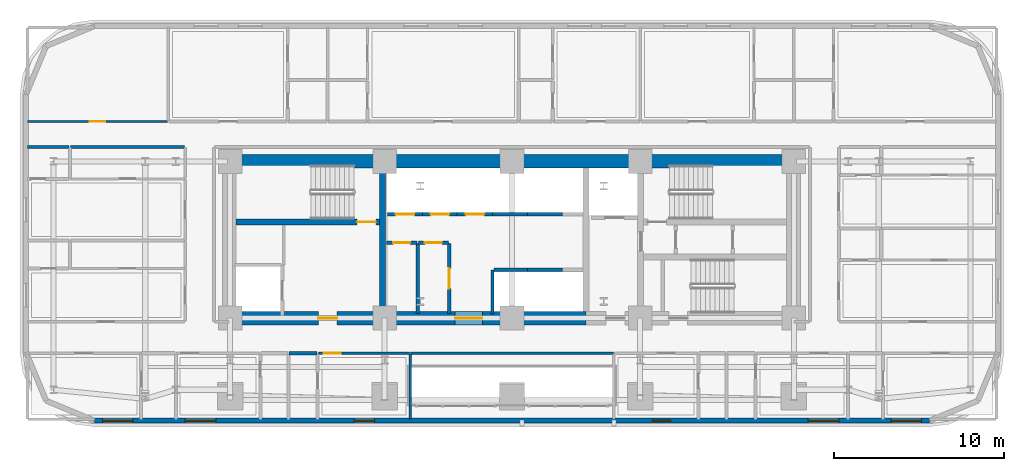
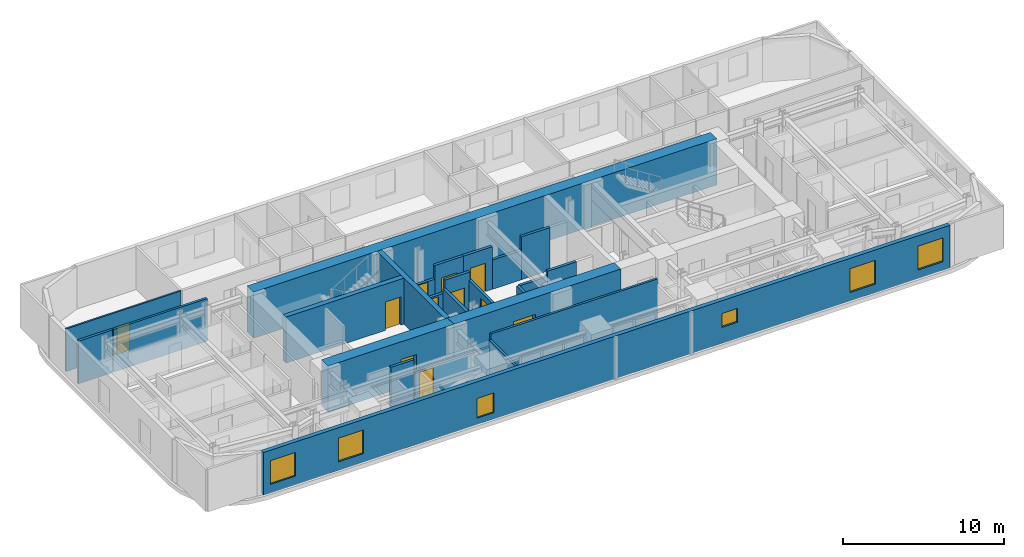
# One storey, part 8 of 16: 25 walls, 11 doors, 6 windows, 17 openings.
"""IFC4 building model written with IfcOpenShell, lengths in metres."""

from ifc_helpers import new_model, si_unit, direction, frame, frame_2d, origin, place, context, subcontext, project, spatial, rectangle, extrude, material, layer, layer_set, type_object, element, fill, save


model = new_model("IFC4")

# Units and contexts
model_context = context("Model", 3, precision=1e-05, world=origin(), true_north=direction((0.0, 1.0)))
body_context = subcontext(model_context, "Body", "Model", "MODEL_VIEW")
ifc_project = project(units=[si_unit("LENGTHUNIT", "METRE"), si_unit("AREAUNIT", "SQUARE_METRE"), si_unit("VOLUMEUNIT", "CUBIC_METRE"), si_unit("PLANEANGLEUNIT", "RADIAN"), si_unit("MASSUNIT", "GRAM", prefix="KILO")], contexts=[model_context])

# Site, building, storey
site_placement = place(None, origin())
site = spatial("IfcSite", under=ifc_project, at=site_placement, CompositionType="ELEMENT")
building_placement = place(site_placement, origin())
building = spatial("IfcBuilding", under=site, at=building_placement, Name="Zarnavel Station Tower", CompositionType="ELEMENT")
storey_placement = place(building_placement, frame((0.0, 0.0, 32.5)))
storey = spatial("IfcBuildingStorey", under=building, at=storey_placement, Name="L08", CompositionType="ELEMENT", Elevation=32.5)

# Wall
ifc_material_1 = material(Name="Concrete C50/60", Category="concrete")
ifc_layer_1 = layer(ifc_material_1, 0.35009765625)
ifc_layer_set_1 = layer_set([ifc_layer_1], Name="CW_350")
wall_type_1 = type_object("IfcWallType", Name="CW_350", PredefinedType="SHEAR", material=ifc_layer_set_1)
wall_1_placement = place(storey_placement, frame((21.179931640625, 28.219970703125, 0.0), z_axis=(0.0, 0.0, 1.0), x_axis=(0.0, 1.0, 0.0)))
element("IfcWall", 1, at=wall_1_placement, inside=storey, type_object=wall_type_1, Name="L08 Rear Core Shear Wall DIV-W", PredefinedType="SHEAR", context=body_context, shape_type="SweptSolid", body=[
    extrude(rectangle(XDim=8.429931640625, YDim=0.35009765625, at=frame_2d((4.21484375, 0.0))), origin(), (0.0, 0.0, 1.0), 3.5),
])

# Wall, opening, door
wall_2_placement = place(storey_placement, frame((21.0048828125, 33.47998046875, 0.0), z_axis=(0.0, 0.0, 1.0), x_axis=(-1.0, 0.0, 0.0)))
wall_2 = element("IfcWall", 2, at=wall_2_placement, inside=storey, type_object=wall_type_1, Name="L08 Rear Core Shear Wall DIV-H1", PredefinedType="SHEAR", context=body_context, shape_type="SweptSolid", body=[
    extrude(rectangle(XDim=8.454833984375, YDim=0.35009765625, at=frame_2d((4.2275390625, 0.0))), origin(), (0.0, 0.0, 1.0), 3.5),
])
opening_1_placement = place(wall_2_placement, frame((0.219970703125, 0.0, 0.0)))
opening_1 = element("IfcOpeningElement", 3, at=opening_1_placement, cuts=wall_2, Name="Opening FD01", PredefinedType="OPENING", context=body_context, shape_type="SweptSolid", body=[
    extrude(rectangle(XDim=1.10009765625, YDim=2.14990234375, at=frame_2d((0.550048828125, 1.074951171875))), frame((0.0, 0.18505859375, 0.0), z_axis=(0.0, -1.0, 0.0), x_axis=(1.0, 0.0, 0.0)), (0.0, 0.0, 1.0), 0.3701171875),
])
ifc_material_2 = material(Name="Painted Galvanised Steel and Hardwood Leaf", Category="steel")
door_type_1 = type_object("IfcDoorType", Name="ID_STAIR_1100", OperationType="NOTDEFINED", PredefinedType="DOOR", material=ifc_material_2)
door_1_placement = place(opening_1_placement, origin())
door_1 = element("IfcDoor", 4, at=door_1_placement, inside=storey, type_object=door_type_1, Name="L08 Stair ST1 Lobby Fire Door", OperationType="SINGLE_SWING_LEFT", OverallHeight=2.14990234375, OverallWidth=1.10009765625, PredefinedType="DOOR", context=body_context, shape_type="SweptSolid", body=[
    extrude(rectangle(XDim=1.10009765625, YDim=2.14990234375, at=frame_2d((0.550048828125, 1.074951171875))), frame((0.0, 0.02490234375, 0.0), z_axis=(0.0, -1.0, 0.0), x_axis=(1.0, 0.0, 0.0)), (0.0, 0.0, 1.0), 0.050048828125),
])
fill(opening_1, door_1)

# Wall
ifc_material_3 = material(Name="Concrete C60/75", Category="concrete")
ifc_layer_2 = layer(ifc_material_3, 0.800048828125)
ifc_layer_set_2 = layer_set([ifc_layer_2], Name="CW_800")
wall_type_2 = type_object("IfcWallType", Name="CW_800", PredefinedType="SHEAR", material=ifc_layer_set_2)
wall_3_placement = place(storey_placement, frame((12.14990234375, 37.050048828125, 0.0), z_axis=(0.0, 0.0, 1.0), x_axis=(1.0, 0.0, 0.0)))
element("IfcWall", 5, at=wall_3_placement, inside=storey, type_object=wall_type_2, Name="L08 Rear Core Shear Wall N", PredefinedType="SHEAR", context=body_context, shape_type="SweptSolid", body=[
    extrude(rectangle(XDim=33.22998046875, YDim=0.800048828125, at=frame_2d((16.614990234375, 0.0))), origin(), (0.0, 0.0, 1.0), 3.5),
])

# Wall, opening, door
wall_4_placement = place(storey_placement, frame((21.179931640625, 27.820068359375, 0.0), z_axis=(0.0, 0.0, 1.0), x_axis=(-1.0, 0.0, 0.0)))
wall_4 = element("IfcWall", 6, at=wall_4_placement, inside=storey, type_object=wall_type_2, Name="L08 Rear Core Shear Wall S-W", PredefinedType="SHEAR", context=body_context, shape_type="SweptSolid", body=[
    extrude(rectangle(XDim=9.030029296875, YDim=0.800048828125, at=frame_2d((4.51513671875, 0.0))), origin(), (0.0, 0.0, 1.0), 3.5),
])
opening_2_placement = place(wall_4_placement, frame((2.679931640625, 0.0, 0.0)))
opening_2 = element("IfcOpeningElement", 7, at=opening_2_placement, cuts=wall_4, Name="Opening FD01", PredefinedType="OPENING", context=body_context, shape_type="SweptSolid", body=[
    extrude(rectangle(XDim=1.10009765625, YDim=2.14990234375, at=frame_2d((0.550048828125, 1.074951171875))), frame((0.0, 0.409912109375, 0.0), z_axis=(0.0, -1.0, 0.0), x_axis=(1.0, 0.0, 0.0)), (0.0, 0.0, 1.0), 0.820068359375),
])
door_2_placement = place(opening_2_placement, origin())
door_2 = element("IfcDoor", 8, at=door_2_placement, inside=storey, type_object=door_type_1, Name="L08 West Firefighting Lobby Door", OperationType="SINGLE_SWING_RIGHT", OverallHeight=2.14990234375, OverallWidth=1.10009765625, PredefinedType="DOOR", context=body_context, shape_type="SweptSolid", body=[
    extrude(rectangle(XDim=1.10009765625, YDim=2.14990234375, at=frame_2d((0.550048828125, 1.074951171875))), frame((0.0, 0.02490234375, 0.0), z_axis=(0.0, -1.0, 0.0), x_axis=(1.0, 0.0, 0.0)), (0.0, 0.0, 1.0), 0.050048828125),
])
fill(opening_2, door_2)

wall_5_placement = place(storey_placement, frame((33.14990234375, 27.820068359375, 0.0), z_axis=(0.0, 0.0, 1.0), x_axis=(-1.0, 0.0, 0.0)))
wall_5 = element("IfcWall", 9, at=wall_5_placement, inside=storey, type_object=wall_type_2, Name="L08 Rear Core Shear Wall S-M", PredefinedType="SHEAR", context=body_context, shape_type="SweptSolid", body=[
    extrude(rectangle(XDim=11.969970703125, YDim=0.800048828125, at=frame_2d((5.98486328125, 0.0))), origin(), (0.0, 0.0, 1.0), 3.5),
])
opening_3_placement = place(wall_5_placement, frame((6.10009765625, 0.0, 0.0)))
opening_3 = element("IfcOpeningElement", 10, at=opening_3_placement, cuts=wall_5, Name="Opening ID03", PredefinedType="OPENING", context=body_context, shape_type="SweptSolid", body=[
    extrude(rectangle(XDim=1.60009765625, YDim=2.199951171875, at=frame_2d((0.800048828125, 1.10009765625))), frame((0.0, 0.409912109375, 0.0), z_axis=(0.0, -1.0, 0.0), x_axis=(1.0, 0.0, 0.0)), (0.0, 0.0, 1.0), 0.820068359375),
])
ifc_material_4 = material(Name="Painted Galvanised Steel and Hardwood Leaf", Category="steel")
door_type_2 = type_object("IfcDoorType", Name="ID_PUBLIC_1600", OperationType="DOUBLE_DOOR_SINGLE_SWING", PredefinedType="DOOR", material=ifc_material_4)
door_3_placement = place(opening_3_placement, origin())
door_3 = element("IfcDoor", 11, at=door_3_placement, inside=storey, type_object=door_type_2, Name="L08 Passenger Lift Lobby Double Door", OperationType="SINGLE_SWING_LEFT", OverallHeight=2.199951171875, OverallWidth=1.60009765625, PredefinedType="DOOR", context=body_context, shape_type="SweptSolid", body=[
    extrude(rectangle(XDim=1.60009765625, YDim=2.199951171875, at=frame_2d((0.800048828125, 1.10009765625))), frame((0.0, 0.02490234375, 0.0), z_axis=(0.0, -1.0, 0.0), x_axis=(1.0, 0.0, 0.0)), (0.0, 0.0, 1.0), 0.050048828125),
])
fill(opening_3, door_3)

# Wall, openings, windows
ifc_material_5 = material(Name="Precast concrete C45/55 (Dark Basalt Finish)", Category="masonry")
ifc_layer_3 = layer(ifc_material_5, 0.300048828125)
ifc_layer_set_3 = layer_set([ifc_layer_3], Name="EW_BASALT_300")
wall_type_3 = type_object("IfcWallType", Name="EW_BASALT_300", PredefinedType="SOLIDWALL", material=ifc_layer_set_3)
wall_6_placement = place(storey_placement, frame((53.39990234375, 21.780029296875, 0.0), z_axis=(0.0, 0.0, 1.0), x_axis=(-1.0, 0.0, 0.0)))
wall_6 = element("IfcWall", 12, at=wall_6_placement, inside=storey, type_object=wall_type_3, Name="L08 Exterior Basalt Masonry Frame Wall 12", PredefinedType="SOLIDWALL", context=body_context, shape_type="SweptSolid", body=[
    extrude(rectangle(XDim=49.199951171875, YDim=0.300048828125, at=frame_2d((24.60009765625, 0.0))), origin(), (0.0, 0.0, 1.0), 3.239990234375),
])
opening_4_placement = place(wall_6_placement, frame((46.9150390625, 0.0, 0.64990234375)))
opening_4 = element("IfcOpeningElement", 13, at=opening_4_placement, cuts=wall_6, Name="Opening WN02", PredefinedType="OPENING", context=body_context, shape_type="SweptSolid", body=[
    extrude(rectangle(XDim=1.800048828125, YDim=1.800048828125, at=frame_2d((0.89990234375, 0.89990234375))), frame((0.0, 0.159912109375, 0.0), z_axis=(0.0, -1.0, 0.0), x_axis=(1.0, 0.0, 0.0)), (0.0, 0.0, 1.0), 0.320068359375),
])
opening_5_placement = place(wall_6_placement, frame((42.048095703125, 0.0, 0.64990234375)))
opening_5 = element("IfcOpeningElement", 14, at=opening_5_placement, cuts=wall_6, Name="Opening WN02", PredefinedType="OPENING", context=body_context, shape_type="SweptSolid", body=[
    extrude(rectangle(XDim=1.800048828125, YDim=1.800048828125, at=frame_2d((0.89990234375, 0.89990234375))), frame((0.0, 0.159912109375, 0.0), z_axis=(0.0, -1.0, 0.0), x_axis=(1.0, 0.0, 0.0)), (0.0, 0.0, 1.0), 0.320068359375),
])
opening_6_placement = place(wall_6_placement, frame((32.696044921875, 0.0, 0.47998046875)))
opening_6 = element("IfcOpeningElement", 15, at=opening_6_placement, cuts=wall_6, Name="Opening WN08", PredefinedType="OPENING", context=body_context, shape_type="SweptSolid", body=[
    extrude(rectangle(XDim=1.199951171875, YDim=1.5, at=frame_2d((0.60009765625, 0.75))), frame((0.0, 0.159912109375, 0.0), z_axis=(0.0, -1.0, 0.0), x_axis=(1.0, 0.0, 0.0)), (0.0, 0.0, 1.0), 0.320068359375),
])
opening_7_placement = place(wall_6_placement, frame((15.2392578125, 0.0, 1.219970703125)))
opening_7 = element("IfcOpeningElement", 16, at=opening_7_placement, cuts=wall_6, Name="Opening WN09", PredefinedType="OPENING", context=body_context, shape_type="SweptSolid", body=[
    extrude(rectangle(XDim=1.10009765625, YDim=1.050048828125, at=frame_2d((0.550048828125, 0.52490234375))), frame((0.0, 0.159912109375, 0.0), z_axis=(0.0, -1.0, 0.0), x_axis=(1.0, 0.0, 0.0)), (0.0, 0.0, 1.0), 0.320068359375),
])
opening_8_placement = place(wall_6_placement, frame((5.351806640625, 0.0, 0.64990234375)))
opening_8 = element("IfcOpeningElement", 17, at=opening_8_placement, cuts=wall_6, Name="Opening WN02", PredefinedType="OPENING", context=body_context, shape_type="SweptSolid", body=[
    extrude(rectangle(XDim=1.800048828125, YDim=1.800048828125, at=frame_2d((0.89990234375, 0.89990234375))), frame((0.0, 0.159912109375, 0.0), z_axis=(0.0, -1.0, 0.0), x_axis=(1.0, 0.0, 0.0)), (0.0, 0.0, 1.0), 0.320068359375),
])
opening_9_placement = place(wall_6_placement, frame((0.485107421875, 0.0, 0.64990234375)))
opening_9 = element("IfcOpeningElement", 18, at=opening_9_placement, cuts=wall_6, Name="Opening WN02", PredefinedType="OPENING", context=body_context, shape_type="SweptSolid", body=[
    extrude(rectangle(XDim=1.800048828125, YDim=1.800048828125, at=frame_2d((0.89990234375, 0.89990234375))), frame((0.0, 0.159912109375, 0.0), z_axis=(0.0, -1.0, 0.0), x_axis=(1.0, 0.0, 0.0)), (0.0, 0.0, 1.0), 0.320068359375),
])
ifc_material_6 = material(Name="Thermally Broken Black Aluminium and Low-E Dark Glass", Category="aluminium")
window_type_1 = type_object("IfcWindowType", Name="WN_1100x1050", PartitioningType="SINGLE_PANEL", PredefinedType="WINDOW", material=ifc_material_6)
window_1_placement = place(opening_7_placement, origin())
window_1 = element("IfcWindow", 19, at=window_1_placement, inside=storey, type_object=window_type_1, Name="L08 Recessed Facade Window 04", OverallHeight=1.050048828125, OverallWidth=1.10009765625, PartitioningType="SINGLE_PANEL", PredefinedType="WINDOW", context=body_context, shape_type="SweptSolid", body=[
    extrude(rectangle(XDim=1.10009765625, YDim=1.050048828125, at=frame_2d((0.550048828125, 0.52490234375))), frame((0.0, 0.030029296875, 0.0), z_axis=(0.0, -1.0, 0.0), x_axis=(1.0, 0.0, 0.0)), (0.0, 0.0, 1.0), 0.06005859375),
])
fill(opening_7, window_1)
ifc_material_7 = material(Name="Thermally Broken Black Aluminium and Low-E Dark Glass", Category="aluminium")
window_type_2 = type_object("IfcWindowType", Name="WN_1200x1500", PartitioningType="SINGLE_PANEL", PredefinedType="WINDOW", material=ifc_material_7)
window_2_placement = place(opening_6_placement, origin())
window_2 = element("IfcWindow", 20, at=window_2_placement, inside=storey, type_object=window_type_2, Name="L08 Recessed Facade Window 03", OverallHeight=1.5, OverallWidth=1.199951171875, PartitioningType="SINGLE_PANEL", PredefinedType="WINDOW", context=body_context, shape_type="SweptSolid", body=[
    extrude(rectangle(XDim=1.199951171875, YDim=1.5, at=frame_2d((0.60009765625, 0.75))), frame((0.0, 0.030029296875, 0.0), z_axis=(0.0, -1.0, 0.0), x_axis=(1.0, 0.0, 0.0)), (0.0, 0.0, 1.0), 0.06005859375),
])
fill(opening_6, window_2)
ifc_material_8 = material(Name="Thermally Broken Black Aluminium and Low-E Dark Glass", Category="aluminium")
window_type_3 = type_object("IfcWindowType", Name="WN_1800x1800", PartitioningType="DOUBLE_PANEL_VERTICAL", PredefinedType="WINDOW", material=ifc_material_8)
window_3_placement = place(opening_4_placement, origin())
window_3 = element("IfcWindow", 21, at=window_3_placement, inside=storey, type_object=window_type_3, Name="L08 Recessed Facade Window 01", OverallHeight=1.800048828125, OverallWidth=1.800048828125, PartitioningType="SINGLE_PANEL", PredefinedType="WINDOW", context=body_context, shape_type="SweptSolid", body=[
    extrude(rectangle(XDim=1.800048828125, YDim=1.800048828125, at=frame_2d((0.89990234375, 0.89990234375))), frame((0.0, 0.030029296875, 0.0), z_axis=(0.0, -1.0, 0.0), x_axis=(1.0, 0.0, 0.0)), (0.0, 0.0, 1.0), 0.06005859375),
])
fill(opening_4, window_3)
window_4_placement = place(opening_5_placement, origin())
window_4 = element("IfcWindow", 22, at=window_4_placement, inside=storey, type_object=window_type_3, Name="L08 Recessed Facade Window 02", OverallHeight=1.800048828125, OverallWidth=1.800048828125, PartitioningType="SINGLE_PANEL", PredefinedType="WINDOW", context=body_context, shape_type="SweptSolid", body=[
    extrude(rectangle(XDim=1.800048828125, YDim=1.800048828125, at=frame_2d((0.89990234375, 0.89990234375))), frame((0.0, 0.030029296875, 0.0), z_axis=(0.0, -1.0, 0.0), x_axis=(1.0, 0.0, 0.0)), (0.0, 0.0, 1.0), 0.06005859375),
])
fill(opening_5, window_4)
window_5_placement = place(opening_8_placement, origin())
window_5 = element("IfcWindow", 23, at=window_5_placement, inside=storey, type_object=window_type_3, Name="L08 Recessed Facade Window 05", OverallHeight=1.800048828125, OverallWidth=1.800048828125, PartitioningType="SINGLE_PANEL", PredefinedType="WINDOW", context=body_context, shape_type="SweptSolid", body=[
    extrude(rectangle(XDim=1.800048828125, YDim=1.800048828125, at=frame_2d((0.89990234375, 0.89990234375))), frame((0.0, 0.030029296875, 0.0), z_axis=(0.0, -1.0, 0.0), x_axis=(1.0, 0.0, 0.0)), (0.0, 0.0, 1.0), 0.06005859375),
])
fill(opening_8, window_5)
window_6_placement = place(opening_9_placement, origin())
window_6 = element("IfcWindow", 24, at=window_6_placement, inside=storey, type_object=window_type_3, Name="L08 Recessed Facade Window 06", OverallHeight=1.800048828125, OverallWidth=1.800048828125, PartitioningType="SINGLE_PANEL", PredefinedType="WINDOW", context=body_context, shape_type="SweptSolid", body=[
    extrude(rectangle(XDim=1.800048828125, YDim=1.800048828125, at=frame_2d((0.89990234375, 0.89990234375))), frame((0.0, 0.030029296875, 0.0), z_axis=(0.0, -1.0, 0.0), x_axis=(1.0, 0.0, 0.0)), (0.0, 0.0, 1.0), 0.06005859375),
])
fill(opening_9, window_6)

# Wall, opening, door
ifc_material_9 = material(Name="Gypsum Twin-Stud Acoustic Fire Partition", Category="concrete")
ifc_layer_4 = layer(ifc_material_9, 0.159912109375)
ifc_layer_set_4 = layer_set([ifc_layer_4], Name="PT_DEMISE_160")
wall_type_4 = type_object("IfcWallType", Name="PT_DEMISE_160", PredefinedType="PARTITIONING", material=ifc_layer_set_4)
wall_7_placement = place(storey_placement, frame((17.389892578125, 25.75, 0.0), z_axis=(0.0, 0.0, 1.0), x_axis=(1.0, 0.0, 0.0)))
wall_7 = element("IfcWall", 25, at=wall_7_placement, inside=storey, type_object=wall_type_4, Name="L08 Partition COR-S-HW3R", PredefinedType="PARTITIONING", context=body_context, shape_type="SweptSolid", body=[
    extrude(rectangle(XDim=5.3701171875, YDim=0.159912109375, at=frame_2d((2.68505859375, 0.0))), origin(), (0.0, 0.0, 1.0), 2.280029296875),
])
opening_10_placement = place(wall_7_placement, frame((0.310302734375, 0.0, 0.0)))
opening_10 = element("IfcOpeningElement", 26, at=opening_10_placement, cuts=wall_7, Name="Opening FD02", PredefinedType="OPENING", context=body_context, shape_type="SweptSolid", body=[
    extrude(rectangle(XDim=1.0, YDim=2.14990234375, at=frame_2d((0.5, 1.074951171875))), frame((0.0, 0.08984375, 0.0), z_axis=(0.0, -1.0, 0.0), x_axis=(1.0, 0.0, 0.0)), (0.0, 0.0, 1.0), 0.179931640625),
])
ifc_material_10 = material(Name="Painted Galvanised Steel and Hardwood Leaf", Category="steel")
door_type_3 = type_object("IfcDoorType", Name="ID_ENTRY_1000", OperationType="NOTDEFINED", PredefinedType="DOOR", material=ifc_material_10)
door_4_placement = place(opening_10_placement, origin())
door_4 = element("IfcDoor", 27, at=door_4_placement, inside=storey, type_object=door_type_3, Name="L08 Door COR-S-HW3R", OperationType="SINGLE_SWING_LEFT", OverallHeight=2.14990234375, OverallWidth=1.0, PredefinedType="DOOR", context=body_context, shape_type="SweptSolid", body=[
    extrude(rectangle(XDim=1.0, YDim=2.14990234375, at=frame_2d((0.5, 1.074951171875))), frame((0.0, 0.02490234375, 0.0), z_axis=(0.0, -1.0, 0.0), x_axis=(1.0, 0.0, 0.0)), (0.0, 0.0, 1.0), 0.050048828125),
])
fill(opening_10, door_4)

# Walls
wall_8_placement = place(storey_placement, frame((2.800048828125, 37.89990234375, 0.0), z_axis=(0.0, 0.0, 1.0), x_axis=(1.0, 0.0, 0.0)))
element("IfcWall", 28, at=wall_8_placement, inside=storey, type_object=wall_type_4, Name="L08 Partition COR-N-FNW2S", PredefinedType="PARTITIONING", context=body_context, shape_type="SweptSolid", body=[
    extrude(rectangle(XDim=6.7099609375, YDim=0.159912109375, at=frame_2d((3.35498046875, 0.0))), origin(), (0.0, 0.0, 1.0), 3.239990234375),
])
wall_9_placement = place(storey_placement, frame((22.830078125, 25.75, 0.0), z_axis=(0.0, 0.0, 1.0), x_axis=(1.0, 0.0, 0.0)))
element("IfcWall", 29, at=wall_9_placement, inside=storey, type_object=wall_type_4, Name="L08 Enclosure Wall COR-S", PredefinedType="PARTITIONING", context=body_context, shape_type="SweptSolid", body=[
    extrude(rectangle(XDim=11.93994140625, YDim=0.159912109375, at=frame_2d((5.969970703125, 0.0))), origin(), (0.0, 0.0, 1.0), 3.239990234375),
])
wall_10_placement = place(storey_placement, frame((22.800048828125, 21.889892578125, 0.0), z_axis=(0.0, 0.0, 1.0), x_axis=(0.0, 1.0, 0.0)))
element("IfcWall", 30, at=wall_10_placement, inside=storey, type_object=wall_type_4, Name="L08 Enclosure Wall HW3R", PredefinedType="PARTITIONING", context=body_context, shape_type="SweptSolid", body=[
    extrude(rectangle(XDim=3.830078125, YDim=0.159912109375, at=frame_2d((1.9150390625, 0.0))), origin(), (0.0, 0.0, 1.0), 2.820068359375),
])

# Wall, opening, door
ifc_material_11 = material(Name="Gypsum Metal-Stud Interior Partition", Category="concrete")
ifc_layer_5 = layer(ifc_material_11, 0.1201171875)
ifc_layer_set_5 = layer_set([ifc_layer_5], Name="PT_ROOM_120")
wall_type_5 = type_object("IfcWallType", Name="PT_ROOM_120", PredefinedType="PARTITIONING", material=ifc_layer_set_5)
wall_11_placement = place(storey_placement, frame((0.260009765625, 39.39990234375, 0.0), z_axis=(0.0, 0.0, 1.0), x_axis=(1.0, 0.0, 0.0)))
wall_11 = element("IfcWall", 31, at=wall_11_placement, inside=storey, type_object=wall_type_5, Name="L08 Partition COR-N-HSKP", PredefinedType="PARTITIONING", context=body_context, shape_type="SweptSolid", body=[
    extrude(rectangle(XDim=8.260009765625, YDim=0.1201171875, at=frame_2d((4.1298828125, 0.0))), origin(), (0.0, 0.0, 1.0), 3.239990234375),
])
opening_11_placement = place(wall_11_placement, frame((3.679931640625, 0.0, 0.0)))
opening_11 = element("IfcOpeningElement", 32, at=opening_11_placement, cuts=wall_11, Name="Opening ID01", PredefinedType="OPENING", context=body_context, shape_type="SweptSolid", body=[
    extrude(rectangle(XDim=0.89990234375, YDim=2.10009765625, at=frame_2d((0.449951171875, 1.050048828125))), frame((0.0, 0.070068359375, 0.0), z_axis=(0.0, -1.0, 0.0), x_axis=(1.0, 0.0, 0.0)), (0.0, 0.0, 1.0), 0.14013671875),
])
ifc_material_12 = material(Name="Painted Galvanised Steel and Hardwood Leaf", Category="steel")
door_type_4 = type_object("IfcDoorType", Name="ID_ROOM_900", OperationType="NOTDEFINED", PredefinedType="DOOR", material=ifc_material_12)
door_5_placement = place(opening_11_placement, origin())
door_5 = element("IfcDoor", 33, at=door_5_placement, inside=storey, type_object=door_type_4, Name="L08 Door COR-N-HSKP", OperationType="SINGLE_SWING_LEFT", OverallHeight=2.10009765625, OverallWidth=0.89990234375, PredefinedType="DOOR", context=body_context, shape_type="SweptSolid", body=[
    extrude(rectangle(XDim=0.89990234375, YDim=2.10009765625, at=frame_2d((0.449951171875, 1.050048828125))), frame((0.0, 0.02490234375, 0.0), z_axis=(0.0, -1.0, 0.0), x_axis=(1.0, 0.0, 0.0)), (0.0, 0.0, 1.0), 0.050048828125),
])
fill(opening_11, door_5)

# Walls
ifc_material_13 = material(Name="Precast concrete C45/55 (Fire Shaft Blockwork)", Category="masonry")
ifc_layer_6 = layer(ifc_material_13, 0.199951171875)
ifc_layer_set_6 = layer_set([ifc_layer_6], Name="PT_SHAFT_200")
wall_type_6 = type_object("IfcWallType", Name="PT_SHAFT_200", PredefinedType="PARTITIONING", material=ifc_layer_set_6)
wall_12_placement = place(storey_placement, frame((27.75, 30.669921875, 0.0), z_axis=(0.0, 0.0, 1.0), x_axis=(1.0, 0.0, 0.0)))
element("IfcWall", 34, at=wall_12_placement, inside=storey, type_object=wall_type_6, Name="L08 Lift PL-H1 Shaft Front Wall", PredefinedType="PARTITIONING", context=body_context, shape_type="SweptSolid", body=[
    extrude(rectangle(XDim=1.97509765625, YDim=0.199951171875, at=frame_2d((0.987548828125, 0.0))), origin(), (0.0, 0.0, 1.0), 2.2119140625),
])
wall_13_placement = place(storey_placement, frame((27.64990234375, 28.070068359375, 0.0), z_axis=(0.0, 0.0, 1.0), x_axis=(0.0, 1.0, 0.0)))
element("IfcWall", 35, at=wall_13_placement, inside=storey, type_object=wall_type_6, Name="L08 High-Rise Lift Bank West Shaft Wall", PredefinedType="PARTITIONING", context=body_context, shape_type="SweptSolid", body=[
    extrude(rectangle(XDim=2.579833984375, YDim=0.199951171875, at=frame_2d((1.2900390625, 0.0))), origin(), (0.0, 0.0, 1.0), 2.2119140625),
])
wall_14_placement = place(storey_placement, frame((29.72509765625, 30.669921875, 0.0), z_axis=(0.0, 0.0, 1.0), x_axis=(1.0, 0.0, 0.0)))
element("IfcWall", 36, at=wall_14_placement, inside=storey, type_object=wall_type_6, Name="L08 Lift PL-H2 Shaft Front Wall", PredefinedType="PARTITIONING", context=body_context, shape_type="SweptSolid", body=[
    extrude(rectangle(XDim=2.0498046875, YDim=0.199951171875, at=frame_2d((1.02490234375, 0.0))), origin(), (0.0, 0.0, 1.0), 2.6201171875),
])

# Wall, opening, door
wall_15_placement = place(storey_placement, frame((21.4599609375, 33.929931640625, 0.0), z_axis=(0.0, 0.0, 1.0), x_axis=(1.0, 0.0, 0.0)))
wall_15 = element("IfcWall", 37, at=wall_15_placement, inside=storey, type_object=wall_type_6, Name="L08 Lift PL-L1 Shaft Front Wall", PredefinedType="PARTITIONING", context=body_context, shape_type="SweptSolid", body=[
    extrude(rectangle(XDim=2.06494140625, YDim=0.199951171875, at=frame_2d((1.032470703125, 0.0))), origin(), (0.0, 0.0, 1.0), 2.2119140625),
])
opening_12_placement = place(wall_15_placement, frame((0.482421875, 0.0, 0.0)))
opening_12 = element("IfcOpeningElement", 38, at=opening_12_placement, cuts=wall_15, Name="Opening LD02", PredefinedType="OPENING", context=body_context, shape_type="SweptSolid", body=[
    extrude(rectangle(XDim=1.10009765625, YDim=2.14990234375, at=frame_2d((0.550048828125, 1.074951171875))), frame((0.0, 0.10986328125, 0.0), z_axis=(0.0, -1.0, 0.0), x_axis=(1.0, 0.0, 0.0)), (0.0, 0.0, 1.0), 0.219970703125),
])
ifc_material_14 = material(Name="Painted Galvanised Steel and Hardwood Leaf", Category="steel")
door_type_5 = type_object("IfcDoorType", Name="LD_PAX_1100", OperationType="DOUBLE_DOOR_SLIDING", PredefinedType="DOOR", material=ifc_material_14)
door_6_placement = place(opening_12_placement, origin())
door_6 = element("IfcDoor", 39, at=door_6_placement, inside=storey, type_object=door_type_5, Name="L08 Lift PL-L1 Sliding Landing Door", OperationType="DOUBLE_DOOR_SLIDING", OverallHeight=2.14990234375, OverallWidth=1.10009765625, PredefinedType="DOOR", context=body_context, shape_type="SweptSolid", body=[
    extrude(rectangle(XDim=1.10009765625, YDim=2.14990234375, at=frame_2d((0.550048828125, 1.074951171875))), frame((0.0, 0.02490234375, 0.0), z_axis=(0.0, -1.0, 0.0), x_axis=(1.0, 0.0, 0.0)), (0.0, 0.0, 1.0), 0.050048828125),
])
fill(opening_12, door_6)

wall_16_placement = place(storey_placement, frame((23.52490234375, 33.929931640625, 0.0), z_axis=(0.0, 0.0, 1.0), x_axis=(1.0, 0.0, 0.0)))
wall_16 = element("IfcWall", 40, at=wall_16_placement, inside=storey, type_object=wall_type_6, Name="L08 Lift PL-L2 Shaft Front Wall", PredefinedType="PARTITIONING", context=body_context, shape_type="SweptSolid", body=[
    extrude(rectangle(XDim=2.050048828125, YDim=0.199951171875, at=frame_2d((1.02490234375, 0.0))), origin(), (0.0, 0.0, 1.0), 3.239990234375),
])
opening_13_placement = place(wall_16_placement, frame((0.47509765625, 0.0, 0.0)))
opening_13 = element("IfcOpeningElement", 41, at=opening_13_placement, cuts=wall_16, Name="Opening LD02", PredefinedType="OPENING", context=body_context, shape_type="SweptSolid", body=[
    extrude(rectangle(XDim=1.10009765625, YDim=2.14990234375, at=frame_2d((0.550048828125, 1.074951171875))), frame((0.0, 0.10986328125, 0.0), z_axis=(0.0, -1.0, 0.0), x_axis=(1.0, 0.0, 0.0)), (0.0, 0.0, 1.0), 0.219970703125),
])
door_7_placement = place(opening_13_placement, origin())
door_7 = element("IfcDoor", 42, at=door_7_placement, inside=storey, type_object=door_type_5, Name="L08 Lift PL-L2 Sliding Landing Door", OperationType="DOUBLE_DOOR_SLIDING", OverallHeight=2.14990234375, OverallWidth=1.10009765625, PredefinedType="DOOR", context=body_context, shape_type="SweptSolid", body=[
    extrude(rectangle(XDim=1.10009765625, YDim=2.14990234375, at=frame_2d((0.550048828125, 1.074951171875))), frame((0.0, 0.02490234375, 0.0), z_axis=(0.0, -1.0, 0.0), x_axis=(1.0, 0.0, 0.0)), (0.0, 0.0, 1.0), 0.050048828125),
])
fill(opening_13, door_7)

wall_17_placement = place(storey_placement, frame((25.574951171875, 33.929931640625, 0.0), z_axis=(0.0, 0.0, 1.0), x_axis=(1.0, 0.0, 0.0)))
wall_17 = element("IfcWall", 43, at=wall_17_placement, inside=storey, type_object=wall_type_6, Name="L08 Lift PL-L3 Shaft Front Wall", PredefinedType="PARTITIONING", context=body_context, shape_type="SweptSolid", body=[
    extrude(rectangle(XDim=2.074951171875, YDim=0.199951171875, at=frame_2d((1.03759765625, 0.0))), origin(), (0.0, 0.0, 1.0), 3.239990234375),
])
opening_14_placement = place(wall_17_placement, frame((0.487548828125, 0.0, 0.0)))
opening_14 = element("IfcOpeningElement", 44, at=opening_14_placement, cuts=wall_17, Name="Opening LD02", PredefinedType="OPENING", context=body_context, shape_type="SweptSolid", body=[
    extrude(rectangle(XDim=1.10009765625, YDim=2.14990234375, at=frame_2d((0.550048828125, 1.074951171875))), frame((0.0, 0.10986328125, 0.0), z_axis=(0.0, -1.0, 0.0), x_axis=(1.0, 0.0, 0.0)), (0.0, 0.0, 1.0), 0.219970703125),
])
door_8_placement = place(opening_14_placement, origin())
door_8 = element("IfcDoor", 45, at=door_8_placement, inside=storey, type_object=door_type_5, Name="L08 Lift PL-L3 Sliding Landing Door", OperationType="DOUBLE_DOOR_SLIDING", OverallHeight=2.14990234375, OverallWidth=1.10009765625, PredefinedType="DOOR", context=body_context, shape_type="SweptSolid", body=[
    extrude(rectangle(XDim=1.10009765625, YDim=2.14990234375, at=frame_2d((0.550048828125, 1.074951171875))), frame((0.0, 0.02490234375, 0.0), z_axis=(0.0, -1.0, 0.0), x_axis=(1.0, 0.0, 0.0)), (0.0, 0.0, 1.0), 0.050048828125),
])
fill(opening_14, door_8)

# Walls
wall_18_placement = place(storey_placement, frame((27.64990234375, 33.929931640625, 0.0), z_axis=(0.0, 0.0, 1.0), x_axis=(1.0, 0.0, 0.0)))
element("IfcWall", 46, at=wall_18_placement, inside=storey, type_object=wall_type_6, Name="L08 Lift PL-M1 Shaft Front Wall", PredefinedType="PARTITIONING", context=body_context, shape_type="SweptSolid", body=[
    extrude(rectangle(XDim=2.0751953125, YDim=0.199951171875, at=frame_2d((1.03759765625, 0.0))), origin(), (0.0, 0.0, 1.0), 2.2119140625),
])
wall_19_placement = place(storey_placement, frame((29.72509765625, 33.929931640625, 0.0), z_axis=(0.0, 0.0, 1.0), x_axis=(1.0, 0.0, 0.0)))
element("IfcWall", 47, at=wall_19_placement, inside=storey, type_object=wall_type_6, Name="L08 Lift PL-M2 Shaft Front Wall", PredefinedType="PARTITIONING", context=body_context, shape_type="SweptSolid", body=[
    extrude(rectangle(XDim=2.0498046875, YDim=0.199951171875, at=frame_2d((1.02490234375, 0.0))), origin(), (0.0, 0.0, 1.0), 3.239990234375),
])

# Wall, opening, door
wall_20_placement = place(storey_placement, frame((21.39990234375, 32.25, 0.0), z_axis=(0.0, 0.0, 1.0), x_axis=(1.0, 0.0, 0.0)))
wall_20 = element("IfcWall", 48, at=wall_20_placement, inside=storey, type_object=wall_type_6, Name="L08 Partition LLOB-CS1", PredefinedType="PARTITIONING", context=body_context, shape_type="SweptSolid", body=[
    extrude(rectangle(XDim=1.81005859375, YDim=0.199951171875, at=frame_2d((0.905029296875, 0.0))), origin(), (0.0, 0.0, 1.0), 2.280029296875),
])
opening_15_placement = place(wall_20_placement, frame((0.405029296875, 0.0, 0.0)))
opening_15 = element("IfcOpeningElement", 49, at=opening_15_placement, cuts=wall_20, Name="Opening FD02", PredefinedType="OPENING", context=body_context, shape_type="SweptSolid", body=[
    extrude(rectangle(XDim=1.0, YDim=2.14990234375, at=frame_2d((0.5, 1.074951171875))), frame((0.0, 0.10986328125, 0.0), z_axis=(0.0, -1.0, 0.0), x_axis=(1.0, 0.0, 0.0)), (0.0, 0.0, 1.0), 0.219970703125),
])
door_9_placement = place(opening_15_placement, origin())
door_9 = element("IfcDoor", 50, at=door_9_placement, inside=storey, type_object=door_type_3, Name="L08 Door LLOB-CS1", OperationType="SINGLE_SWING_RIGHT", OverallHeight=2.14990234375, OverallWidth=1.0, PredefinedType="DOOR", context=body_context, shape_type="SweptSolid", body=[
    extrude(rectangle(XDim=1.0, YDim=2.14990234375, at=frame_2d((0.5, 1.074951171875))), frame((0.0, 0.02490234375, 0.0), z_axis=(0.0, -1.0, 0.0), x_axis=(1.0, 0.0, 0.0)), (0.0, 0.0, 1.0), 0.050048828125),
])
fill(opening_15, door_9)

wall_21_placement = place(storey_placement, frame((23.2900390625, 32.25, 0.0), z_axis=(0.0, 0.0, 1.0), x_axis=(1.0, 0.0, 0.0)))
wall_21 = element("IfcWall", 51, at=wall_21_placement, inside=storey, type_object=wall_type_6, Name="L08 Partition LLOB-CS2", PredefinedType="PARTITIONING", context=body_context, shape_type="SweptSolid", body=[
    extrude(rectangle(XDim=1.77001953125, YDim=0.199951171875, at=frame_2d((0.885009765625, 0.0))), origin(), (0.0, 0.0, 1.0), 3.239990234375),
])
opening_16_placement = place(wall_21_placement, frame((0.385009765625, 0.0, 0.0)))
opening_16 = element("IfcOpeningElement", 52, at=opening_16_placement, cuts=wall_21, Name="Opening FD02", PredefinedType="OPENING", context=body_context, shape_type="SweptSolid", body=[
    extrude(rectangle(XDim=1.0, YDim=2.14990234375, at=frame_2d((0.5, 1.074951171875))), frame((0.0, 0.10986328125, 0.0), z_axis=(0.0, -1.0, 0.0), x_axis=(1.0, 0.0, 0.0)), (0.0, 0.0, 1.0), 0.219970703125),
])
door_10_placement = place(opening_16_placement, origin())
door_10 = element("IfcDoor", 53, at=door_10_placement, inside=storey, type_object=door_type_3, Name="L08 Door LLOB-CS2", OperationType="SINGLE_SWING_LEFT", OverallHeight=2.14990234375, OverallWidth=1.0, PredefinedType="DOOR", context=body_context, shape_type="SweptSolid", body=[
    extrude(rectangle(XDim=1.0, YDim=2.14990234375, at=frame_2d((0.5, 1.074951171875))), frame((0.0, 0.02490234375, 0.0), z_axis=(0.0, -1.0, 0.0), x_axis=(1.0, 0.0, 0.0)), (0.0, 0.0, 1.0), 0.050048828125),
])
fill(opening_16, door_10)

wall_22_placement = place(storey_placement, frame((25.10009765625, 28.090087890625, 0.0), z_axis=(0.0, 0.0, 1.0), x_axis=(0.0, 1.0, 0.0)))
wall_22 = element("IfcWall", 54, at=wall_22_placement, inside=storey, type_object=wall_type_6, Name="L08 Partition LLOBS-CS2", PredefinedType="PARTITIONING", context=body_context, shape_type="SweptSolid", body=[
    extrude(rectangle(XDim=4.119873046875, YDim=0.199951171875, at=frame_2d((2.06005859375, 0.0))), origin(), (0.0, 0.0, 1.0), 2.6201171875),
])
opening_17_placement = place(wall_22_placement, frame((1.4599609375, 0.0, 0.0)))
opening_17 = element("IfcOpeningElement", 55, at=opening_17_placement, cuts=wall_22, Name="Opening FD03", PredefinedType="OPENING", context=body_context, shape_type="SweptSolid", body=[
    extrude(rectangle(XDim=1.199951171875, YDim=2.14990234375, at=frame_2d((0.60009765625, 1.074951171875))), frame((0.0, 0.10986328125, 0.0), z_axis=(0.0, -1.0, 0.0), x_axis=(1.0, 0.0, 0.0)), (0.0, 0.0, 1.0), 0.219970703125),
])
ifc_material_15 = material(Name="Painted Galvanised Steel and Hardwood Leaf", Category="steel")
door_type_6 = type_object("IfcDoorType", Name="ID_PLANT_1200", OperationType="NOTDEFINED", PredefinedType="DOOR", material=ifc_material_15)
door_11_placement = place(opening_17_placement, origin())
door_11 = element("IfcDoor", 56, at=door_11_placement, inside=storey, type_object=door_type_6, Name="L08 Door LLOBS-CS2", OperationType="SINGLE_SWING_RIGHT", OverallHeight=2.14990234375, OverallWidth=1.199951171875, PredefinedType="DOOR", context=body_context, shape_type="SweptSolid", body=[
    extrude(rectangle(XDim=1.199951171875, YDim=2.14990234375, at=frame_2d((0.60009765625, 1.074951171875))), frame((0.0, 0.02490234375, 0.0), z_axis=(0.0, -1.0, 0.0), x_axis=(1.0, 0.0, 0.0)), (0.0, 0.0, 1.0), 0.050048828125),
])
fill(opening_17, door_11)

# Walls
wall_23_placement = place(storey_placement, frame((23.25, 28.090087890625, 0.0), z_axis=(0.0, 0.0, 1.0), x_axis=(0.0, 1.0, 0.0)))
element("IfcWall", 57, at=wall_23_placement, inside=storey, type_object=wall_type_6, Name="L08 Partition CS1-CS2", PredefinedType="PARTITIONING", context=body_context, shape_type="SweptSolid", body=[
    extrude(rectangle(XDim=4.119873046875, YDim=0.199951171875, at=frame_2d((2.06005859375, 0.0))), origin(), (0.0, 0.0, 1.0), 2.6201171875),
])
ifc_material_16 = material(Name="Moisture-Resistant Plumbing Chase Wall", Category="concrete")
ifc_layer_7 = layer(ifc_material_16, 0.179931640625)
ifc_layer_set_7 = layer_set([ifc_layer_7], Name="PW_PLUMB_180")
wall_type_7 = type_object("IfcWallType", Name="PW_PLUMB_180", PredefinedType="PLUMBINGWALL", material=ifc_layer_set_7)
wall_24_placement = place(storey_placement, frame((15.6689453125, 25.75, 0.0), z_axis=(0.0, 0.0, 1.0), x_axis=(1.0, 0.0, 0.0)))
element("IfcWall", 58, at=wall_24_placement, inside=storey, type_object=wall_type_7, Name="L08 Partition COR-S-HW3B", PredefinedType="PLUMBINGWALL", context=body_context, shape_type="SweptSolid", body=[
    extrude(rectangle(XDim=1.64111328125, YDim=0.179931640625, at=frame_2d((0.820556640625, 0.0))), origin(), (0.0, 0.0, 1.0), 3.239990234375),
])
wall_25_placement = place(storey_placement, frame((0.260009765625, 37.89990234375, 0.0), z_axis=(0.0, 0.0, 1.0), x_axis=(1.0, 0.0, 0.0)))
element("IfcWall", 59, at=wall_25_placement, inside=storey, type_object=wall_type_7, Name="L08 Partition COR-N-FNW2B", PredefinedType="PLUMBINGWALL", context=body_context, shape_type="SweptSolid", body=[
    extrude(rectangle(XDim=2.4599609375, YDim=0.179931640625, at=frame_2d((1.22998046875, 0.0))), origin(), (0.0, 0.0, 1.0), 3.239990234375),
])

save(model, "model.ifc")
